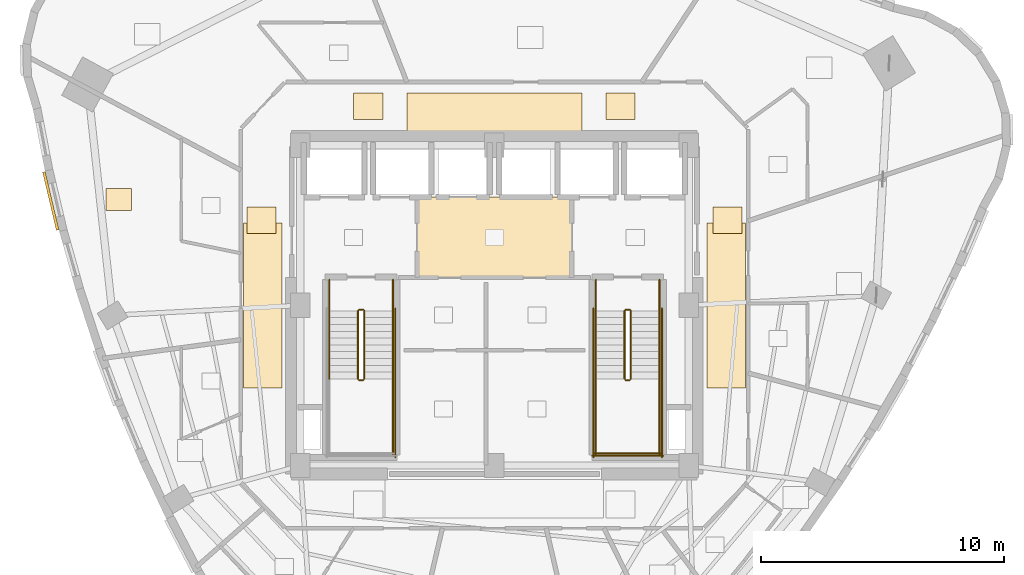
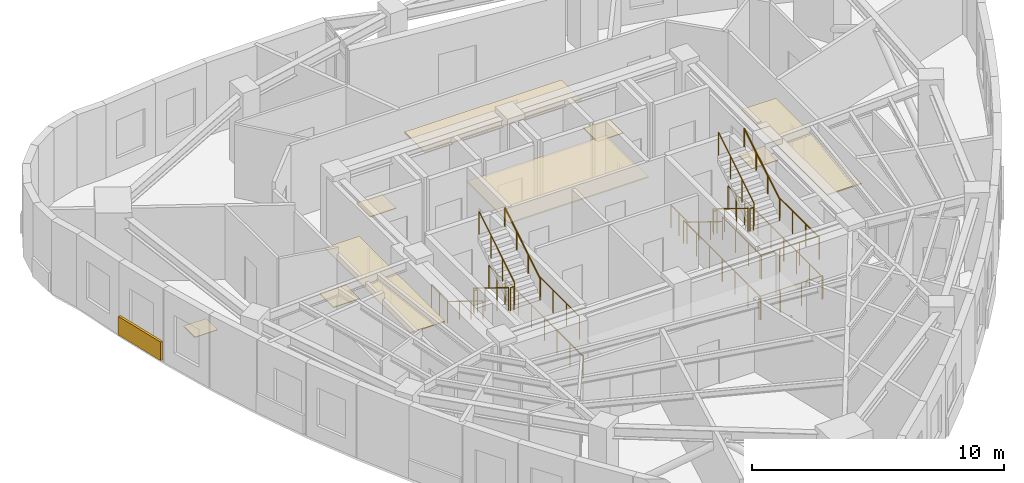
# One storey, part 11 of 12: 24 railings, 10 coverings.
"""IFC4 building model written with IfcOpenShell, lengths in metres."""

from ifc_helpers import new_model, si_unit, direction, frame, origin, origin_2d, place, context, subcontext, project, spatial, rectangle, circle, extrude, material, layer, layer_set, type_object, element, save


model = new_model("IFC4")

# Units and contexts
model_context = context("Model", 3, precision=1e-05, world=origin(), true_north=direction((0.0, 1.0)))
body_context = subcontext(model_context, "Body", "Model", "MODEL_VIEW")
ifc_project = project(units=[si_unit("LENGTHUNIT", "METRE"), si_unit("AREAUNIT", "SQUARE_METRE"), si_unit("VOLUMEUNIT", "CUBIC_METRE"), si_unit("PLANEANGLEUNIT", "RADIAN"), si_unit("MASSUNIT", "GRAM", prefix="KILO")], contexts=[model_context])

# Site, building, storey
site_placement = place(None, origin())
site = spatial("IfcSite", under=ifc_project, at=site_placement, CompositionType="ELEMENT")
building_placement = place(site_placement, origin())
building = spatial("IfcBuilding", under=site, at=building_placement, Name="Ndelora Gate Hotel", CompositionType="ELEMENT")
storey_placement = place(building_placement, frame((0.0, 0.0, 190.35009765625)))
storey = spatial("IfcBuildingStorey", under=building, at=storey_placement, Name="L47", CompositionType="ELEMENT", Elevation=190.35009765625)

# Coverings
ifc_material_1 = material(Name="Perforated Acoustic Gypsum Board", Category="gypsum")
ifc_layer_1 = layer(ifc_material_1, 0.054931640625)
ifc_layer_set_1 = layer_set([ifc_layer_1], Name="Perforated Acoustic Gypsum Board")
covering_type_1 = type_object("IfcCoveringType", Name="COV-CEIL-AC60", PredefinedType="CEILING", material=ifc_layer_set_1)
covering_1_placement = place(storey_placement, frame((0.0, 2.800048828125, 2.72265625), z_axis=(0.0, 0.0, 1.0), x_axis=(1.0, 0.0, 0.0)))
element("IfcCovering", 1, at=covering_1_placement, inside=storey, type_object=covering_type_1, Name="L47 Lift Lobby Acoustic Ceiling", PredefinedType="CEILING", context=body_context, shape_type="SweptSolid", body=[
    extrude(rectangle(XDim=6.39990234375, YDim=3.340087890625, at=origin_2d()), origin(), (0.0, 0.0, 1.0), 0.054931640625),
])
covering_2_placement = place(storey_placement, frame((0.0, 7.9599609375, 2.65234375), z_axis=(0.0, 0.0, 1.0), x_axis=(1.0, 0.0, 0.0)))
element("IfcCovering", 2, at=covering_2_placement, inside=storey, type_object=covering_type_1, Name="L47 Guest Corridor Acoustic Ceiling N", PredefinedType="CEILING", context=body_context, shape_type="SweptSolid", body=[
    extrude(rectangle(XDim=7.199951171875, YDim=1.580078125, at=origin_2d()), origin(), (0.0, 0.0, 1.0), 0.054931640625),
])
for number, where, z_axis, x_axis, name in (
    (3, (-9.550048828125, 0.0, 2.65234375), (0.0, 0.0, 1.0), (1.0, 0.0, 0.0), "L47 Guest Corridor Acoustic Ceiling W"),
    (4, (9.550048828125, 0.0, 2.65234375), (0.0, 0.0, 1.0), (1.0, 0.0, 0.0), "L47 Guest Corridor Acoustic Ceiling E"),
):
    element("IfcCovering", number, at=place(storey_placement, frame(where, z_axis=z_axis, x_axis=x_axis)), inside=storey, type_object=covering_type_1, Name=name, PredefinedType="CEILING", context=body_context, shape_type="SweptSolid", body=[
        extrude(rectangle(XDim=1.580078125, YDim=6.800048828125, at=origin_2d()), origin(), (0.0, 0.0, 1.0), 0.054931640625),
    ])
ifc_material_2 = material(Name="Terracotta Fired Clay Brick Slip Cladding", Category="masonry")
ifc_layer_2 = layer(ifc_material_2, 0.110107421875)
ifc_layer_set_2 = layer_set([ifc_layer_2], Name="Terracotta Fired Clay Brick Slip Cladding")
covering_type_2 = type_object("IfcCoveringType", Name="COV-CLAD-BRK", PredefinedType="CLADDING", material=ifc_layer_set_2)
covering_3_placement = place(storey_placement, frame((-18.275390625, 4.298828125, 0.099853515625), z_axis=(0.0, 0.0, 1.0), x_axis=(-0.230219585439, 0.973138706701, 0.0)))
element("IfcCovering", 5, at=covering_3_placement, inside=storey, type_object=covering_type_2, Name="L47 Rounded-Corner Brick Cladding Band 10", PredefinedType="CLADDING", context=body_context, shape_type="SweptSolid", body=[
    extrude(rectangle(XDim=2.4599609375, YDim=0.110107421875, at=origin_2d()), origin(), (0.0, 0.0, 1.0), 0.89990234375),
])
ifc_material_3 = material(Name="Engineered Highland Oak Parquet", Category="wood")
ifc_layer_3 = layer(ifc_material_3, 0.030029296875)
ifc_layer_set_3 = layer_set([ifc_layer_3], Name="Engineered Highland Oak Parquet")
covering_type_3 = type_object("IfcCoveringType", Name="COV-FLR-PARQ", PredefinedType="FLOORING", material=ifc_layer_set_3)
covering_4_placement = place(storey_placement, frame((-15.482421875, 4.3583984375, 0.0), z_axis=(0.0, 0.0, 1.0), x_axis=(1.0, 0.0, 0.0)))
element("IfcCovering", 6, at=covering_4_placement, inside=storey, type_object=covering_type_3, Name="L47 Altitude Twin Suite 5005 Oak Parquet Flooring", PredefinedType="FLOORING", context=body_context, shape_type="SweptSolid", body=[
    extrude(rectangle(XDim=1.050048828125, YDim=0.89990234375, at=origin_2d()), origin(), (0.0, 0.0, 1.0), 0.030029296875),
])
ifc_material_4 = material(Name="Polished Highland Stone Terrazzo", Category="masonry")
ifc_layer_4 = layer(ifc_material_4, 0.034912109375)
ifc_layer_set_4 = layer_set([ifc_layer_4], Name="Polished Highland Stone Terrazzo")
covering_type_4 = type_object("IfcCoveringType", Name="COV-FLR-TERZ", PredefinedType="FLOORING", material=ifc_layer_set_4)
for number, where, z_axis, x_axis, name in (
    (7, (-5.199951171875, 8.199951171875, 0.0), (0.0, 0.0, 1.0), (1.0, 0.0, 0.0), "L47 Corridor Threshold Terrazzo Inlay NW"),
    (8, (5.199951171875, 8.199951171875, 0.0), (0.0, 0.0, 1.0), (1.0, 0.0, 0.0), "L47 Corridor Threshold Terrazzo Inlay NE"),
    (9, (-9.60009765625, 3.5, 0.0), (0.0, 0.0, 1.0), (1.0, 0.0, 0.0), "L47 Corridor Threshold Terrazzo Inlay W"),
    (10, (9.60009765625, 3.5, 0.0), (0.0, 0.0, 1.0), (1.0, 0.0, 0.0), "L47 Corridor Threshold Terrazzo Inlay E"),
):
    element("IfcCovering", number, at=place(storey_placement, frame(where, z_axis=z_axis, x_axis=x_axis)), inside=storey, type_object=covering_type_4, Name=name, PredefinedType="FLOORING", context=body_context, shape_type="SweptSolid", body=[
        extrude(rectangle(XDim=1.199951171875, YDim=1.10009765625, at=origin_2d()), origin(), (0.0, 0.0, 1.0), 0.034912109375),
    ])

# Railings
ifc_material_5 = material(Name="Painted Galvanized Steel Balustrade", Category="steel")
ifc_layer_5 = layer(ifc_material_5, 0.06005859375)
ifc_layer_set_5 = layer_set([ifc_layer_5], Name="Painted Galvanized Steel Balustrade")
railing_type_1 = type_object("IfcRailingType", Name="RL-STAIR-GD", PredefinedType="GUARDRAIL", material=ifc_layer_set_5)
railing_1_placement = place(storey_placement, frame((-5.6201171875, -0.22998046875, 0.172607421875)))
element("IfcRailing", 11, at=railing_1_placement, inside=storey, type_object=railing_type_1, Name="L47 ST4 stair guard 1", PredefinedType="GUARDRAIL", context=body_context, shape_type="SweptSolid", body=[
    extrude(circle(Radius=0.02392578125, at=origin_2d()), frame((0.0, 0.0, 1.10595703125), z_axis=(0.0, -0.851089632645, 0.525020415988), x_axis=(1.0, 0.0, 0.0)), (0.0, 0.0, 1.0), 3.2900390625),
    extrude(circle(Radius=0.02099609375, at=origin_2d()), origin(), (0.0, 0.0, 1.0), 1.081787109375),
    extrude(circle(Radius=0.02099609375, at=origin_2d()), frame((0.0, -0.933349609375, 0.57568359375)), (0.0, 0.0, 1.0), 1.081787109375),
    extrude(circle(Radius=0.02099609375, at=origin_2d()), frame((0.0, -1.86669921875, 1.151611328125)), (0.0, 0.0, 1.0), 1.081787109375),
    extrude(circle(Radius=0.02099609375, at=origin_2d()), frame((0.0, -2.800048828125, 1.727294921875)), (0.0, 0.0, 1.0), 1.081787109375),
])
railing_2_placement = place(storey_placement, frame((-5.570068359375, -3.080078125, 1.89990234375)))
element("IfcRailing", 12, at=railing_2_placement, inside=storey, type_object=railing_type_1, Name="L47 ST4 stair guard 2", PredefinedType="GUARDRAIL", context=body_context, shape_type="SweptSolid", body=[
    extrude(circle(Radius=0.02392578125, at=origin_2d()), frame((0.0, 0.0, 1.10595703125), z_axis=(1.0, 0.0, 0.0), x_axis=(0.0, 1.0, 0.0)), (0.0, 0.0, 1.0), 0.16015625),
    extrude(circle(Radius=0.02099609375, at=origin_2d()), origin(), (0.0, 0.0, 1.0), 1.081787109375),
    extrude(circle(Radius=0.02099609375, at=origin_2d()), frame((0.16015625, 0.0, 0.0)), (0.0, 0.0, 1.0), 1.081787109375),
])
railing_3_placement = place(storey_placement, frame((-4.179931640625, -3.030029296875, 1.89990234375)))
element("IfcRailing", 13, at=railing_3_placement, inside=storey, type_object=railing_type_1, Name="L47 ST4 stair guard 4", PredefinedType="GUARDRAIL", context=body_context, shape_type="SweptSolid", body=[
    extrude(circle(Radius=0.02392578125, at=origin_2d()), frame((0.0, 0.0, 1.10595703125), z_axis=(0.0, -1.0, 0.0), x_axis=(1.0, 0.0, 0.0)), (0.0, 0.0, 1.0), 3.119873046875),
    extrude(circle(Radius=0.02099609375, at=origin_2d()), origin(), (0.0, 0.0, 1.0), 1.081787109375),
    extrude(circle(Radius=0.02099609375, at=origin_2d()), frame((0.0, -1.0400390625, 0.0)), (0.0, 0.0, 1.0), 1.081787109375),
    extrude(circle(Radius=0.02099609375, at=origin_2d()), frame((0.0, -2.079833984375, 0.0)), (0.0, 0.0, 1.0), 1.081787109375),
    extrude(circle(Radius=0.02099609375, at=origin_2d()), frame((0.0, -3.119873046875, 0.0)), (0.0, 0.0, 1.0), 1.081787109375),
])
railing_4_placement = place(storey_placement, frame((-5.360107421875, -3.030029296875, 2.072509765625)))
element("IfcRailing", 14, at=railing_4_placement, inside=storey, type_object=railing_type_1, Name="L47 ST4 stair guard 6", PredefinedType="GUARDRAIL", context=body_context, shape_type="SweptSolid", body=[
    extrude(circle(Radius=0.02392578125, at=origin_2d()), frame((0.0, 0.0, 1.10595703125), z_axis=(0.0, 0.851089632645, 0.525020415988), x_axis=(-1.0, 0.0, 0.0)), (0.0, 0.0, 1.0), 3.2900390625),
    extrude(circle(Radius=0.02099609375, at=origin_2d()), origin(), (0.0, 0.0, 1.0), 1.081787109375),
    extrude(circle(Radius=0.02099609375, at=origin_2d()), frame((0.0, 0.933349609375, 0.57568359375)), (0.0, 0.0, 1.0), 1.081787109375),
    extrude(circle(Radius=0.02099609375, at=origin_2d()), frame((0.0, 1.86669921875, 1.151611328125)), (0.0, 0.0, 1.0), 1.081787109375),
    extrude(circle(Radius=0.02099609375, at=origin_2d()), frame((0.0, 2.800048828125, 1.727294921875)), (0.0, 0.0, 1.0), 1.081787109375),
])
railing_5_placement = place(storey_placement, frame((-5.570068359375, -0.179931640625, 0.0)))
element("IfcRailing", 15, at=railing_5_placement, inside=storey, type_object=railing_type_1, Name="L47 ST4 stair guard 7", PredefinedType="GUARDRAIL", context=body_context, shape_type="SweptSolid", body=[
    extrude(circle(Radius=0.02392578125, at=origin_2d()), frame((0.0, 0.0, 1.10595703125), z_axis=(1.0, 0.0, 0.0), x_axis=(0.0, 1.0, 0.0)), (0.0, 0.0, 1.0), 0.16015625),
    extrude(circle(Radius=0.02099609375, at=origin_2d()), origin(), (0.0, 0.0, 1.0), 1.081787109375),
    extrude(circle(Radius=0.02099609375, at=origin_2d()), frame((0.16015625, 0.0, 0.0)), (0.0, 0.0, 1.0), 1.081787109375),
])
for number, where, name in (
    (16, (-6.800048828125, 1.050048828125, 0.0), "L47 ST4 stair guard 8"),
    (17, (-4.179931640625, 1.050048828125, 0.0), "L47 ST4 stair guard 9"),
):
    element("IfcRailing", number, at=place(storey_placement, frame(where)), inside=storey, type_object=railing_type_1, Name=name, PredefinedType="GUARDRAIL", context=body_context, shape_type="SweptSolid", body=[
        extrude(circle(Radius=0.02392578125, at=origin_2d()), frame((0.0, 0.0, 1.10595703125), z_axis=(0.0, -1.0, 0.0), x_axis=(1.0, 0.0, 0.0)), (0.0, 0.0, 1.0), 1.280029296875),
        extrude(circle(Radius=0.02099609375, at=origin_2d()), origin(), (0.0, 0.0, 1.0), 1.081787109375),
        extrude(circle(Radius=0.02099609375, at=origin_2d()), frame((0.0, -0.64013671875, 0.0)), (0.0, 0.0, 1.0), 1.081787109375),
        extrude(circle(Radius=0.02099609375, at=origin_2d()), frame((0.0, -1.280029296875, 0.0)), (0.0, 0.0, 1.0), 1.081787109375),
    ])
railing_6_placement = place(storey_placement, frame((-4.080078125, -0.1298828125, 0.0)))
element("IfcRailing", 18, at=railing_6_placement, inside=storey, type_object=railing_type_1, Name="L47 ST4 stair guard 11", PredefinedType="GUARDRAIL", context=body_context, shape_type="SweptSolid", body=[
    extrude(circle(Radius=0.02392578125, at=origin_2d()), frame((0.0, 0.0, 1.10595703125), z_axis=(0.0, -1.0, 0.0), x_axis=(1.0, 0.0, 0.0)), (0.0, 0.0, 1.0), 6.1201171875),
    extrude(circle(Radius=0.02099609375, at=origin_2d()), origin(), (0.0, 0.0, 1.0), 1.081787109375),
    extrude(circle(Radius=0.02099609375, at=origin_2d()), frame((0.0, -1.02001953125, 0.0)), (0.0, 0.0, 1.0), 1.081787109375),
    extrude(circle(Radius=0.02099609375, at=origin_2d()), frame((0.0, -2.0400390625, 0.0)), (0.0, 0.0, 1.0), 1.081787109375),
    extrude(circle(Radius=0.02099609375, at=origin_2d()), frame((0.0, -3.06005859375, 0.0)), (0.0, 0.0, 1.0), 1.081787109375),
    extrude(circle(Radius=0.02099609375, at=origin_2d()), frame((0.0, -4.080078125, 0.0)), (0.0, 0.0, 1.0), 1.081787109375),
    extrude(circle(Radius=0.02099609375, at=origin_2d()), frame((0.0, -5.10009765625, 0.0)), (0.0, 0.0, 1.0), 1.081787109375),
    extrude(circle(Radius=0.02099609375, at=origin_2d()), frame((0.0, -6.1201171875, 0.0)), (0.0, 0.0, 1.0), 1.081787109375),
])
railing_7_placement = place(storey_placement, frame((5.360107421875, -0.22998046875, 0.172607421875)))
element("IfcRailing", 19, at=railing_7_placement, inside=storey, type_object=railing_type_1, Name="L47 ST5 stair guard 1", PredefinedType="GUARDRAIL", context=body_context, shape_type="SweptSolid", body=[
    extrude(circle(Radius=0.02392578125, at=origin_2d()), frame((0.0, 0.0, 1.10595703125), z_axis=(0.0, -0.851089632645, 0.525020415988), x_axis=(1.0, 0.0, 0.0)), (0.0, 0.0, 1.0), 3.2900390625),
    extrude(circle(Radius=0.02099609375, at=origin_2d()), origin(), (0.0, 0.0, 1.0), 1.081787109375),
    extrude(circle(Radius=0.02099609375, at=origin_2d()), frame((0.0, -0.933349609375, 0.57568359375)), (0.0, 0.0, 1.0), 1.081787109375),
    extrude(circle(Radius=0.02099609375, at=origin_2d()), frame((0.0, -1.86669921875, 1.151611328125)), (0.0, 0.0, 1.0), 1.081787109375),
    extrude(circle(Radius=0.02099609375, at=origin_2d()), frame((0.0, -2.800048828125, 1.727294921875)), (0.0, 0.0, 1.0), 1.081787109375),
])
railing_8_placement = place(storey_placement, frame((5.409912109375, -3.080078125, 1.89990234375)))
element("IfcRailing", 20, at=railing_8_placement, inside=storey, type_object=railing_type_1, Name="L47 ST5 stair guard 2", PredefinedType="GUARDRAIL", context=body_context, shape_type="SweptSolid", body=[
    extrude(circle(Radius=0.02392578125, at=origin_2d()), frame((0.0, 0.0, 1.10595703125), z_axis=(1.0, 0.0, 0.0), x_axis=(0.0, 1.0, 0.0)), (0.0, 0.0, 1.0), 0.16015625),
    extrude(circle(Radius=0.02099609375, at=origin_2d()), origin(), (0.0, 0.0, 1.0), 1.081787109375),
    extrude(circle(Radius=0.02099609375, at=origin_2d()), frame((0.16015625, 0.0, 0.0)), (0.0, 0.0, 1.0), 1.081787109375),
])
for number, where, name in (
    (21, (4.179931640625, -3.030029296875, 1.89990234375), "L47 ST5 stair guard 3"),
    (22, (6.800048828125, -3.030029296875, 1.89990234375), "L47 ST5 stair guard 4"),
):
    element("IfcRailing", number, at=place(storey_placement, frame(where)), inside=storey, type_object=railing_type_1, Name=name, PredefinedType="GUARDRAIL", context=body_context, shape_type="SweptSolid", body=[
        extrude(circle(Radius=0.02392578125, at=origin_2d()), frame((0.0, 0.0, 1.10595703125), z_axis=(0.0, -1.0, 0.0), x_axis=(1.0, 0.0, 0.0)), (0.0, 0.0, 1.0), 3.119873046875),
        extrude(circle(Radius=0.02099609375, at=origin_2d()), origin(), (0.0, 0.0, 1.0), 1.081787109375),
        extrude(circle(Radius=0.02099609375, at=origin_2d()), frame((0.0, -1.0400390625, 0.0)), (0.0, 0.0, 1.0), 1.081787109375),
        extrude(circle(Radius=0.02099609375, at=origin_2d()), frame((0.0, -2.079833984375, 0.0)), (0.0, 0.0, 1.0), 1.081787109375),
        extrude(circle(Radius=0.02099609375, at=origin_2d()), frame((0.0, -3.119873046875, 0.0)), (0.0, 0.0, 1.0), 1.081787109375),
    ])
railing_9_placement = place(storey_placement, frame((4.1298828125, -6.10009765625, 1.89990234375)))
element("IfcRailing", 23, at=railing_9_placement, inside=storey, type_object=railing_type_1, Name="L47 ST5 stair guard 5", PredefinedType="GUARDRAIL", context=body_context, shape_type="SweptSolid", body=[
    extrude(circle(Radius=0.02392578125, at=origin_2d()), frame((0.0, 0.0, 1.10595703125), z_axis=(1.0, 0.0, 0.0), x_axis=(0.0, 1.0, 0.0)), (0.0, 0.0, 1.0), 2.72021484375),
    extrude(circle(Radius=0.02099609375, at=origin_2d()), origin(), (0.0, 0.0, 1.0), 1.081787109375),
    extrude(circle(Radius=0.02099609375, at=origin_2d()), frame((0.90673828125, 0.0, 0.0)), (0.0, 0.0, 1.0), 1.081787109375),
    extrude(circle(Radius=0.02099609375, at=origin_2d()), frame((1.8134765625, 0.0, 0.0)), (0.0, 0.0, 1.0), 1.081787109375),
    extrude(circle(Radius=0.02099609375, at=origin_2d()), frame((2.72021484375, 0.0, 0.0)), (0.0, 0.0, 1.0), 1.081787109375),
])
railing_10_placement = place(storey_placement, frame((5.6201171875, -3.030029296875, 2.072509765625)))
element("IfcRailing", 24, at=railing_10_placement, inside=storey, type_object=railing_type_1, Name="L47 ST5 stair guard 6", PredefinedType="GUARDRAIL", context=body_context, shape_type="SweptSolid", body=[
    extrude(circle(Radius=0.02392578125, at=origin_2d()), frame((0.0, 0.0, 1.10595703125), z_axis=(0.0, 0.851089632645, 0.525020415988), x_axis=(-1.0, 0.0, 0.0)), (0.0, 0.0, 1.0), 3.2900390625),
    extrude(circle(Radius=0.02099609375, at=origin_2d()), origin(), (0.0, 0.0, 1.0), 1.081787109375),
    extrude(circle(Radius=0.02099609375, at=origin_2d()), frame((0.0, 0.933349609375, 0.57568359375)), (0.0, 0.0, 1.0), 1.081787109375),
    extrude(circle(Radius=0.02099609375, at=origin_2d()), frame((0.0, 1.86669921875, 1.151611328125)), (0.0, 0.0, 1.0), 1.081787109375),
    extrude(circle(Radius=0.02099609375, at=origin_2d()), frame((0.0, 2.800048828125, 1.727294921875)), (0.0, 0.0, 1.0), 1.081787109375),
])
railing_11_placement = place(storey_placement, frame((5.409912109375, -0.179931640625, 0.0)))
element("IfcRailing", 25, at=railing_11_placement, inside=storey, type_object=railing_type_1, Name="L47 ST5 stair guard 7", PredefinedType="GUARDRAIL", context=body_context, shape_type="SweptSolid", body=[
    extrude(circle(Radius=0.02392578125, at=origin_2d()), frame((0.0, 0.0, 1.10595703125), z_axis=(1.0, 0.0, 0.0), x_axis=(0.0, 1.0, 0.0)), (0.0, 0.0, 1.0), 0.16015625),
    extrude(circle(Radius=0.02099609375, at=origin_2d()), origin(), (0.0, 0.0, 1.0), 1.081787109375),
    extrude(circle(Radius=0.02099609375, at=origin_2d()), frame((0.16015625, 0.0, 0.0)), (0.0, 0.0, 1.0), 1.081787109375),
])
for number, where, name in (
    (26, (4.179931640625, 1.050048828125, 0.0), "L47 ST5 stair guard 8"),
    (27, (6.800048828125, 1.050048828125, 0.0), "L47 ST5 stair guard 9"),
):
    element("IfcRailing", number, at=place(storey_placement, frame(where)), inside=storey, type_object=railing_type_1, Name=name, PredefinedType="GUARDRAIL", context=body_context, shape_type="SweptSolid", body=[
        extrude(circle(Radius=0.02392578125, at=origin_2d()), frame((0.0, 0.0, 1.10595703125), z_axis=(0.0, -1.0, 0.0), x_axis=(1.0, 0.0, 0.0)), (0.0, 0.0, 1.0), 1.280029296875),
        extrude(circle(Radius=0.02099609375, at=origin_2d()), origin(), (0.0, 0.0, 1.0), 1.081787109375),
        extrude(circle(Radius=0.02099609375, at=origin_2d()), frame((0.0, -0.64013671875, 0.0)), (0.0, 0.0, 1.0), 1.081787109375),
        extrude(circle(Radius=0.02099609375, at=origin_2d()), frame((0.0, -1.280029296875, 0.0)), (0.0, 0.0, 1.0), 1.081787109375),
    ])
for number, where, name in (
    (28, (4.080078125, -0.1298828125, 0.0), "L47 ST5 stair guard 10"),
    (29, (6.89990234375, -0.1298828125, 0.0), "L47 ST5 stair guard 11"),
):
    element("IfcRailing", number, at=place(storey_placement, frame(where)), inside=storey, type_object=railing_type_1, Name=name, PredefinedType="GUARDRAIL", context=body_context, shape_type="SweptSolid", body=[
        extrude(circle(Radius=0.02392578125, at=origin_2d()), frame((0.0, 0.0, 1.10595703125), z_axis=(0.0, -1.0, 0.0), x_axis=(1.0, 0.0, 0.0)), (0.0, 0.0, 1.0), 6.1201171875),
        extrude(circle(Radius=0.02099609375, at=origin_2d()), origin(), (0.0, 0.0, 1.0), 1.081787109375),
        extrude(circle(Radius=0.02099609375, at=origin_2d()), frame((0.0, -1.02001953125, 0.0)), (0.0, 0.0, 1.0), 1.081787109375),
        extrude(circle(Radius=0.02099609375, at=origin_2d()), frame((0.0, -2.0400390625, 0.0)), (0.0, 0.0, 1.0), 1.081787109375),
        extrude(circle(Radius=0.02099609375, at=origin_2d()), frame((0.0, -3.06005859375, 0.0)), (0.0, 0.0, 1.0), 1.081787109375),
        extrude(circle(Radius=0.02099609375, at=origin_2d()), frame((0.0, -4.080078125, 0.0)), (0.0, 0.0, 1.0), 1.081787109375),
        extrude(circle(Radius=0.02099609375, at=origin_2d()), frame((0.0, -5.10009765625, 0.0)), (0.0, 0.0, 1.0), 1.081787109375),
        extrude(circle(Radius=0.02099609375, at=origin_2d()), frame((0.0, -6.1201171875, 0.0)), (0.0, 0.0, 1.0), 1.081787109375),
    ])
railing_12_placement = place(storey_placement, frame((4.030029296875, -6.199951171875, 0.0)))
element("IfcRailing", 30, at=railing_12_placement, inside=storey, type_object=railing_type_1, Name="L47 ST5 stair guard 12", PredefinedType="GUARDRAIL", context=body_context, shape_type="SweptSolid", body=[
    extrude(circle(Radius=0.02392578125, at=origin_2d()), frame((0.0, 0.0, 1.10595703125), z_axis=(1.0, 0.0, 0.0), x_axis=(0.0, 1.0, 0.0)), (0.0, 0.0, 1.0), 2.919921875),
    extrude(circle(Radius=0.02099609375, at=origin_2d()), origin(), (0.0, 0.0, 1.0), 1.081787109375),
    extrude(circle(Radius=0.02099609375, at=origin_2d()), frame((0.973388671875, 0.0, 0.0)), (0.0, 0.0, 1.0), 1.081787109375),
    extrude(circle(Radius=0.02099609375, at=origin_2d()), frame((1.946533203125, 0.0, 0.0)), (0.0, 0.0, 1.0), 1.081787109375),
    extrude(circle(Radius=0.02099609375, at=origin_2d()), frame((2.919921875, 0.0, 0.0)), (0.0, 0.0, 1.0), 1.081787109375),
])
ifc_material_6 = material(Name="Brushed Stainless Steel 316", Category="steel")
ifc_layer_6 = layer(ifc_material_6, 0.050048828125)
ifc_layer_set_6 = layer_set([ifc_layer_6], Name="Brushed Stainless Steel 316")
railing_type_2 = type_object("IfcRailingType", Name="RL-STAIR-HR", PredefinedType="HANDRAIL", material=ifc_layer_set_6)
railing_13_placement = place(storey_placement, frame((-6.800048828125, -0.22998046875, 0.172607421875)))
element("IfcRailing", 31, at=railing_13_placement, inside=storey, type_object=railing_type_2, Name="L47 ST4 stair handrail 1", PredefinedType="HANDRAIL", context=body_context, shape_type="SweptSolid", body=[
    extrude(circle(Radius=0.02392578125, at=origin_2d()), frame((0.0, 0.0, 0.8759765625), z_axis=(0.0, -0.851089632645, 0.525020415988), x_axis=(1.0, 0.0, 0.0)), (0.0, 0.0, 1.0), 3.2900390625),
    extrude(circle(Radius=0.02099609375, at=origin_2d()), origin(), (0.0, 0.0, 1.0), 0.851806640625),
    extrude(circle(Radius=0.02099609375, at=origin_2d()), frame((0.0, -0.933349609375, 0.57568359375)), (0.0, 0.0, 1.0), 0.851806640625),
    extrude(circle(Radius=0.02099609375, at=origin_2d()), frame((0.0, -1.86669921875, 1.151611328125)), (0.0, 0.0, 1.0), 0.851806640625),
    extrude(circle(Radius=0.02099609375, at=origin_2d()), frame((0.0, -2.800048828125, 1.727294921875)), (0.0, 0.0, 1.0), 0.851806640625),
])
railing_14_placement = place(storey_placement, frame((-4.179931640625, -3.030029296875, 2.072509765625)))
element("IfcRailing", 32, at=railing_14_placement, inside=storey, type_object=railing_type_2, Name="L47 ST4 stair handrail 2", PredefinedType="HANDRAIL", context=body_context, shape_type="SweptSolid", body=[
    extrude(circle(Radius=0.02392578125, at=origin_2d()), frame((0.0, 0.0, 0.8759765625), z_axis=(0.0, 0.851089632645, 0.525020415988), x_axis=(-1.0, 0.0, 0.0)), (0.0, 0.0, 1.0), 3.2900390625),
    extrude(circle(Radius=0.02099609375, at=origin_2d()), origin(), (0.0, 0.0, 1.0), 0.851806640625),
    extrude(circle(Radius=0.02099609375, at=origin_2d()), frame((0.0, 0.933349609375, 0.57568359375)), (0.0, 0.0, 1.0), 0.851806640625),
    extrude(circle(Radius=0.02099609375, at=origin_2d()), frame((0.0, 1.86669921875, 1.151611328125)), (0.0, 0.0, 1.0), 0.851806640625),
    extrude(circle(Radius=0.02099609375, at=origin_2d()), frame((0.0, 2.800048828125, 1.727294921875)), (0.0, 0.0, 1.0), 0.851806640625),
])
railing_15_placement = place(storey_placement, frame((4.179931640625, -0.22998046875, 0.172607421875)))
element("IfcRailing", 33, at=railing_15_placement, inside=storey, type_object=railing_type_2, Name="L47 ST5 stair handrail 1", PredefinedType="HANDRAIL", context=body_context, shape_type="SweptSolid", body=[
    extrude(circle(Radius=0.02392578125, at=origin_2d()), frame((0.0, 0.0, 0.8759765625), z_axis=(0.0, -0.851089632645, 0.525020415988), x_axis=(1.0, 0.0, 0.0)), (0.0, 0.0, 1.0), 3.2900390625),
    extrude(circle(Radius=0.02099609375, at=origin_2d()), origin(), (0.0, 0.0, 1.0), 0.851806640625),
    extrude(circle(Radius=0.02099609375, at=origin_2d()), frame((0.0, -0.933349609375, 0.57568359375)), (0.0, 0.0, 1.0), 0.851806640625),
    extrude(circle(Radius=0.02099609375, at=origin_2d()), frame((0.0, -1.86669921875, 1.151611328125)), (0.0, 0.0, 1.0), 0.851806640625),
    extrude(circle(Radius=0.02099609375, at=origin_2d()), frame((0.0, -2.800048828125, 1.727294921875)), (0.0, 0.0, 1.0), 0.851806640625),
])
railing_16_placement = place(storey_placement, frame((6.800048828125, -3.030029296875, 2.072509765625)))
element("IfcRailing", 34, at=railing_16_placement, inside=storey, type_object=railing_type_2, Name="L47 ST5 stair handrail 2", PredefinedType="HANDRAIL", context=body_context, shape_type="SweptSolid", body=[
    extrude(circle(Radius=0.02392578125, at=origin_2d()), frame((0.0, 0.0, 0.8759765625), z_axis=(0.0, 0.851089632645, 0.525020415988), x_axis=(-1.0, 0.0, 0.0)), (0.0, 0.0, 1.0), 3.2900390625),
    extrude(circle(Radius=0.02099609375, at=origin_2d()), origin(), (0.0, 0.0, 1.0), 0.851806640625),
    extrude(circle(Radius=0.02099609375, at=origin_2d()), frame((0.0, 0.933349609375, 0.57568359375)), (0.0, 0.0, 1.0), 0.851806640625),
    extrude(circle(Radius=0.02099609375, at=origin_2d()), frame((0.0, 1.86669921875, 1.151611328125)), (0.0, 0.0, 1.0), 0.851806640625),
    extrude(circle(Radius=0.02099609375, at=origin_2d()), frame((0.0, 2.800048828125, 1.727294921875)), (0.0, 0.0, 1.0), 0.851806640625),
])

save(model, "model.ifc")
